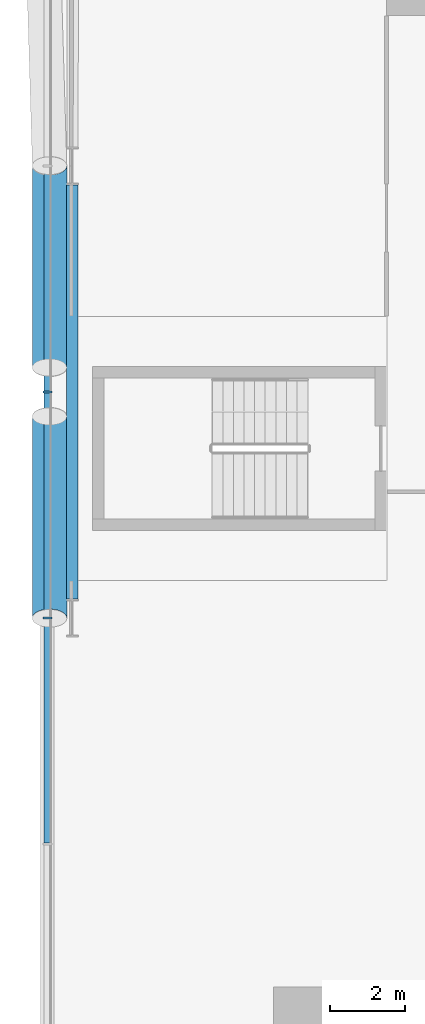
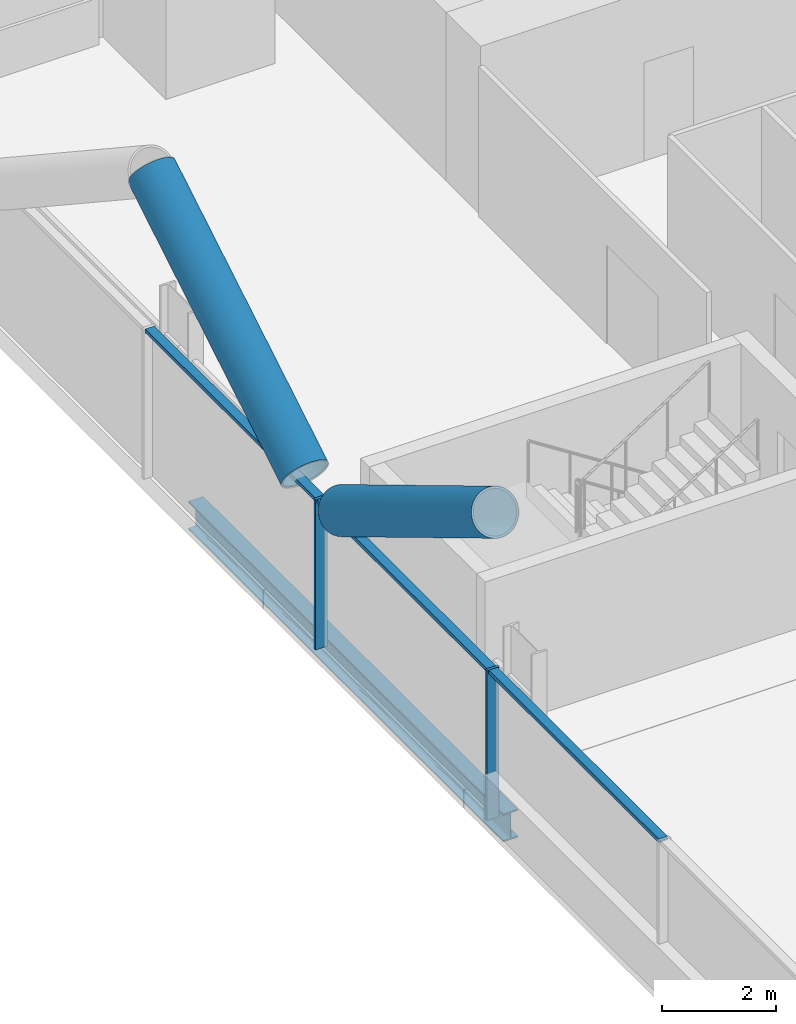
# One storey, part 5 of 25: 7 members, 1 beam, 1 element without a shape of its own.
"""IFC4 building model written with IfcOpenShell, lengths in metres."""

from ifc_helpers import new_model, si_unit, direction, frame, origin, origin_2d, place, context, subcontext, project, spatial, rectangle, hollow_circle, i_section, extrude, material, material_profile, profile_set, type_object, element, aggregate, save


model = new_model("IFC4")

# Units and contexts
model_context = context("Model", 3, precision=1e-05, world=origin(), true_north=direction((0.0, 1.0)))
body_context = subcontext(model_context, "Body", "Model", "MODEL_VIEW")
ifc_project = project(units=[si_unit("LENGTHUNIT", "METRE"), si_unit("AREAUNIT", "SQUARE_METRE"), si_unit("VOLUMEUNIT", "CUBIC_METRE"), si_unit("PLANEANGLEUNIT", "RADIAN"), si_unit("MASSUNIT", "GRAM", prefix="KILO")], contexts=[model_context])

# Site, building, storey
site_placement = place(None, origin())
site = spatial("IfcSite", under=ifc_project, at=site_placement, CompositionType="ELEMENT")
building_placement = place(site_placement, origin())
building = spatial("IfcBuilding", under=site, at=building_placement, Name="Wharfspan Tower", CompositionType="ELEMENT")
storey_placement = place(building_placement, frame((0.0, 0.0, 70.300049)))
storey = spatial("IfcBuildingStorey", under=building, at=storey_placement, Name="L14", CompositionType="ELEMENT", Elevation=70.300049)

# Beam
ifc_material_1 = material(Name="Steel S355J2", Category="steel")
ifc_material_profile_1 = material_profile(ifc_material_1, i_section(OverallWidth=0.300049, OverallDepth=0.600098, WebThickness=0.015381, FlangeThickness=0.030029, FilletRadius=0.0271, at=origin_2d()))
ifc_profile_set_1 = profile_set([ifc_material_profile_1], Name="Steel S355J2")
beam_type = type_object("IfcBeamType", Name="Edge beam HEB 600", PredefinedType="SPANDREL", material=ifc_profile_set_1)
beam_placement = place(storey_placement, frame((0.659912, 29.5, -0.699951), z_axis=(0.0, -1.0, 0.0), x_axis=(1.0, 0.0, 0.0)))
element("IfcBeam", 1, at=beam_placement, inside=storey, type_object=beam_type, Name="Edge beam W L14 PW.1 to PW.2", PredefinedType="SPANDREL", context=body_context, shape_type="SweptSolid", body=[
    extrude(i_section(OverallWidth=0.300049, OverallDepth=0.600098, WebThickness=0.015381, FlangeThickness=0.030029, FilletRadius=0.0271, at=origin_2d()), origin(), (0.0, 0.0, 1.0), 11.0),
])

# Curtain wall, members
ifc_material_2 = material(Name="Aluminium 6063-T6", Category="aluminium")
curtain_wall_type = type_object("IfcCurtainWallType", Name="CURTAIN WALL PROW AND END", PredefinedType="NOTDEFINED", material=ifc_material_2)
curtain_wall_placement = place(storey_placement, origin())
curtain_wall = element("IfcCurtainWall", 2, at=curtain_wall_placement, inside=storey, type_object=curtain_wall_type, Name="Curtain wall W", PredefinedType="NOTDEFINED")
ifc_material_profile_2 = material_profile(ifc_material_2, rectangle(XDim=0.23999, YDim=0.060059, at=origin_2d()))
ifc_profile_set_2 = profile_set([ifc_material_profile_2], Name="Aluminium 6063-T6")
member_type_1 = type_object("IfcMemberType", Name="MULLION PROW AND END 60x240", PredefinedType="MULLION", material=ifc_profile_set_2)
member_1_placement = place(storey_placement, frame((0.0, 24.0, 0.0), z_axis=(0.0, 0.0, 1.0), x_axis=(1.0, 0.0, 0.0)))
member_1 = element("IfcMember", 3, at=member_1_placement, type_object=member_type_1, Name="Curtain wall W mullion 4", PredefinedType="MULLION", context=body_context, shape_type="SweptSolid", body=[
    extrude(rectangle(XDim=0.23999, YDim=0.060059, at=origin_2d()), origin(), (0.0, 0.0, 1.0), 3.199951),
])
member_2_placement = place(storey_placement, frame((0.0, 18.0, 0.0), z_axis=(0.0, 0.0, 1.0), x_axis=(1.0, 0.0, 0.0)))
member_2 = element("IfcMember", 4, at=member_2_placement, type_object=member_type_1, Name="Curtain wall W mullion 5", PredefinedType="MULLION", context=body_context, shape_type="SweptSolid", body=[
    extrude(rectangle(XDim=0.23999, YDim=0.060059, at=origin_2d()), origin(), (0.0, 0.0, 1.0), 3.199951),
])

# Members
ifc_material_3 = material(Name="Steel S460NH", Category="steel")
ifc_material_profile_3 = material_profile(ifc_material_3, hollow_circle(Radius=0.457031, WallThickness=0.040039, at=origin_2d()))
ifc_profile_set_3 = profile_set([ifc_material_profile_3], Name="Steel S460NH")
member_type_2 = type_object("IfcMemberType", Name="Mega brace CHS 914x40", PredefinedType="BRACE", material=ifc_profile_set_3)
for number, where, z_axis, x_axis, name in (
    (5, (0.054932, 23.350098, 3.289795), (0.0, -0.857483, 0.514513), (1.0, 0.0, 0.0), "Mega brace W3 L14 part 2"),
    (6, (0.054932, 24.649902, 3.289795), (0.0, 0.857483, 0.514513), (-1.0, 0.0, 0.0), "Mega brace W3 L14 part 4"),
):
    element("IfcMember", number, at=place(storey_placement, frame(where, z_axis=z_axis, x_axis=x_axis)), inside=storey, type_object=member_type_2, Name=name, PredefinedType="BRACE", context=body_context, shape_type="SweptSolid", body=[
        extrude(hollow_circle(Radius=0.457031, WallThickness=0.040039, at=origin_2d()), origin(), (0.0, 0.0, 1.0), 6.239258),
    ])

# Member
ifc_material_profile_4 = material_profile(ifc_material_2, rectangle(XDim=0.179932, YDim=0.080078, at=origin_2d()))
ifc_profile_set_4 = profile_set([ifc_material_profile_4], Name="Aluminium 6063-T6")
member_type_3 = type_object("IfcMemberType", Name="TRANSOM PROW AND END 80x180", PredefinedType="USERDEFINED", material=ifc_profile_set_4)
member_3_placement = place(storey_placement, frame((0.0, 29.969971, 3.159912), z_axis=(0.0, -1.0, 0.0), x_axis=(1.0, 0.0, 0.0)))
member_3 = element("IfcMember", 7, at=member_3_placement, type_object=member_type_3, Name="Curtain wall W transom 3", ObjectType="TRANSOM", PredefinedType="USERDEFINED", context=body_context, shape_type="SweptSolid", body=[
    extrude(rectangle(XDim=0.179932, YDim=0.080078, at=origin_2d()), origin(), (0.0, 0.0, 1.0), 5.939941),
])

member_4_placement = place(storey_placement, frame((0.0, 23.969971, 3.159912), z_axis=(0.0, -1.0, 0.0), x_axis=(1.0, 0.0, 0.0)))
member_4 = element("IfcMember", 8, at=member_4_placement, type_object=member_type_3, Name="Curtain wall W transom 4", ObjectType="TRANSOM", PredefinedType="USERDEFINED", context=body_context, shape_type="SweptSolid", body=[
    extrude(rectangle(XDim=0.179932, YDim=0.080078, at=origin_2d()), origin(), (0.0, 0.0, 1.0), 5.939941),
])

member_5_placement = place(storey_placement, frame((0.0, 17.969971, 3.159912), z_axis=(0.0, -1.0, 0.0), x_axis=(1.0, 0.0, 0.0)))
member_5 = element("IfcMember", 9, at=member_5_placement, type_object=member_type_3, Name="Curtain wall W transom 5", ObjectType="TRANSOM", PredefinedType="USERDEFINED", context=body_context, shape_type="SweptSolid", body=[
    extrude(rectangle(XDim=0.179932, YDim=0.080078, at=origin_2d()), origin(), (0.0, 0.0, 1.0), 5.939941),
])

aggregate(curtain_wall, [member_1, member_2, member_3, member_4, member_5])

save(model, "model.ifc")
